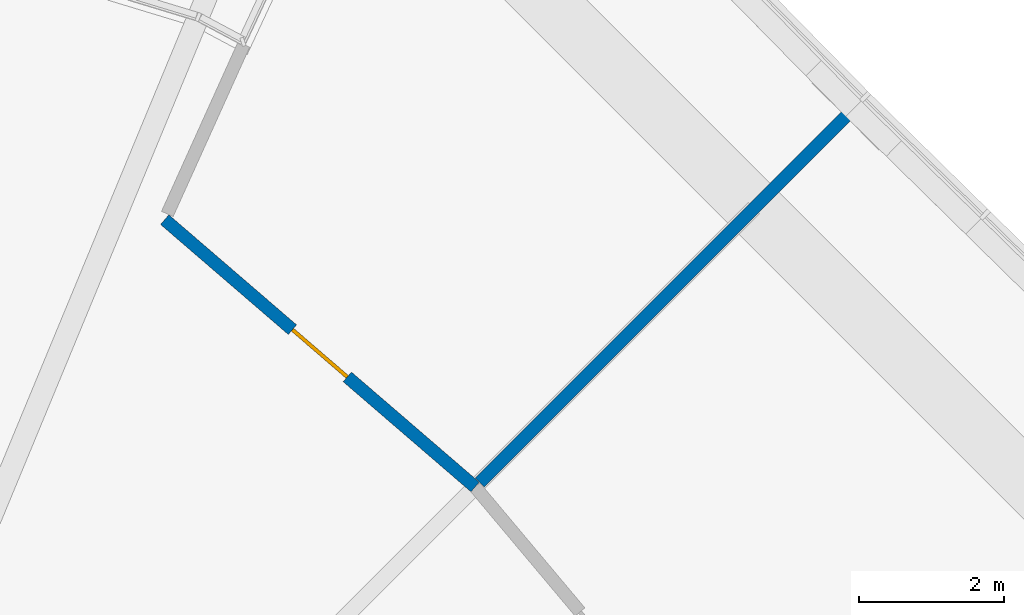
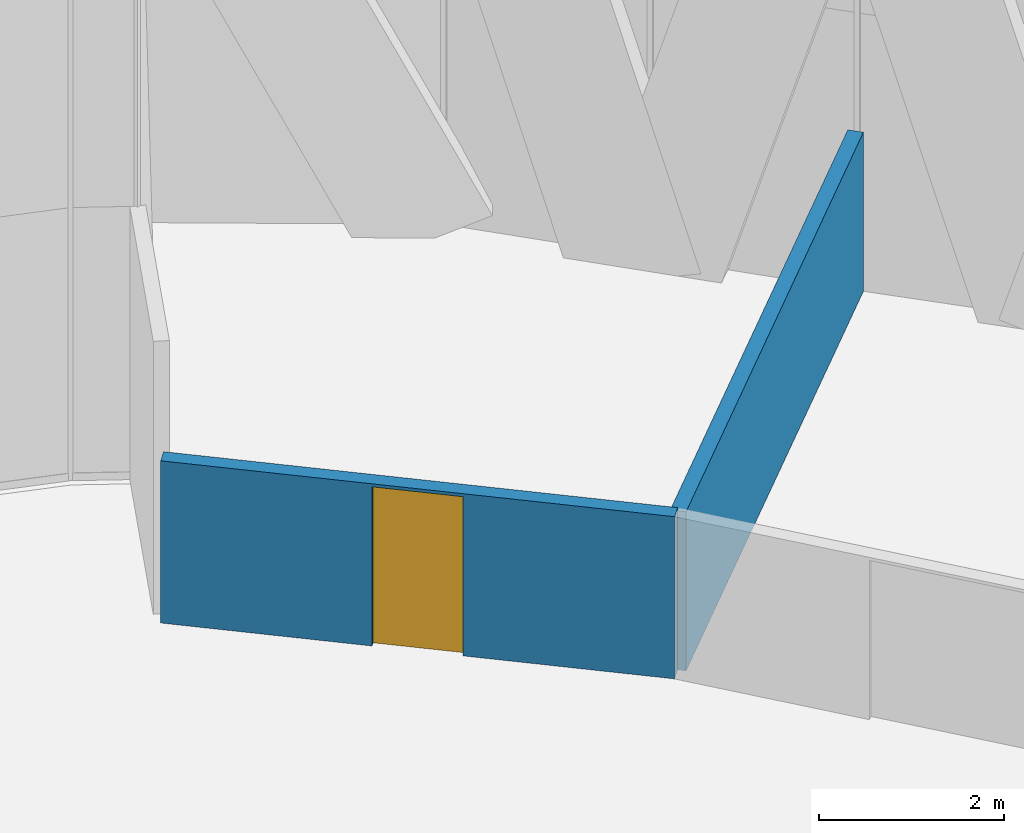
# One storey, part 26 of 31: 2 walls, 1 door, 1 opening.
"""IFC4 building model written with IfcOpenShell, lengths in metres."""

from ifc_helpers import new_model, si_unit, direction, frame, frame_2d, origin, place, context, subcontext, project, spatial, rectangle, extrude, material, layer, layer_set, type_object, element, fill, save


model = new_model("IFC4")

# Units and contexts
model_context = context("Model", 3, precision=1e-05, world=origin(), true_north=direction((0.0, 1.0)))
body_context = subcontext(model_context, "Body", "Model", "MODEL_VIEW")
ifc_project = project(units=[si_unit("LENGTHUNIT", "METRE"), si_unit("AREAUNIT", "SQUARE_METRE"), si_unit("VOLUMEUNIT", "CUBIC_METRE"), si_unit("PLANEANGLEUNIT", "RADIAN"), si_unit("MASSUNIT", "GRAM", prefix="KILO")], contexts=[model_context])

# Site, building, storey
site_placement = place(None, origin())
site = spatial("IfcSite", under=ifc_project, at=site_placement, CompositionType="ELEMENT")
building_placement = place(site_placement, origin())
building = spatial("IfcBuilding", under=site, at=building_placement, Name="Ogive Gate Towers", CompositionType="ELEMENT")
storey_placement = place(building_placement, frame((0.0, 0.0, 63.60009765625)))
storey = spatial("IfcBuildingStorey", under=building, at=storey_placement, Name="L14", CompositionType="ELEMENT", Elevation=63.60009765625)

# Wall
ifc_material_1 = material(Name="Gypsum board acoustic partition")
ifc_layer = layer(ifc_material_1, 0.175048828125)
ifc_layer_set = layer_set([ifc_layer], Name="Acoustic partition 175")
wall_type = type_object("IfcWallType", Name="Acoustic partition 175", PredefinedType="PARTITIONING", material=ifc_layer_set)
wall_1_placement = place(storey_placement, frame((52.411376953125, 16.411376953125, 0.0), z_axis=(0.0, 0.0, 1.0), x_axis=(-0.707106781187, -0.707106781187, 0.0)))
element("IfcWall", 1, at=wall_1_placement, inside=storey, type_object=wall_type, Name="Partition T2-L14-004", PredefinedType="PARTITIONING", context=body_context, shape_type="SweptSolid", body=[
    extrude(rectangle(XDim=7.40673828125, YDim=0.175048828125, at=frame_2d((3.703369140625, 0.0))), origin(), (0.0, 0.0, 1.0), 2.099853515625),
])

# Wall, opening, door
wall_2_placement = place(storey_placement, frame((42.8271484375, 14.80224609375, 0.0), z_axis=(0.0, 0.0, 1.0), x_axis=(0.75773381505, -0.652563763574, 0.0)))
wall_2 = element("IfcWall", 2, at=wall_2_placement, inside=storey, type_object=wall_type, Name="Partition T2-L14-022", PredefinedType="PARTITIONING", context=body_context, shape_type="SweptSolid", body=[
    extrude(rectangle(XDim=5.65478515625, YDim=0.175048828125, at=frame_2d((2.827392578125, 0.0))), origin(), (0.0, 0.0, 1.0), 2.139892578125),
])
opening_placement = place(wall_2_placement, frame((2.326904296875, 0.0, 0.0)))
opening = element("IfcOpeningElement", 3, at=opening_placement, cuts=wall_2, Name="Opening T2-L14-D01", PredefinedType="OPENING", context=body_context, shape_type="SweptSolid", body=[
    extrude(rectangle(XDim=1.0, YDim=2.10009765625, at=frame_2d((0.5, 1.050048828125))), frame((0.0, 0.09765625, 0.0), z_axis=(0.0, -1.0, 0.0), x_axis=(1.0, 0.0, 0.0)), (0.0, 0.0, 1.0), 0.195068359375),
])
ifc_material_2 = material(Name="Timber door", Category="wood")
door_type = type_object("IfcDoorType", Name="Door 1000", OperationType="NOTDEFINED", PredefinedType="DOOR", material=ifc_material_2)
door_placement = place(opening_placement, origin())
door = element("IfcDoor", 4, at=door_placement, inside=storey, type_object=door_type, Name="Door T2-L14-D01", OperationType="SINGLE_SWING_LEFT", OverallHeight=2.10009765625, OverallWidth=1.0, PredefinedType="DOOR", context=body_context, shape_type="SweptSolid", body=[
    extrude(rectangle(XDim=1.0, YDim=2.10009765625, at=frame_2d((0.5, 1.050048828125))), frame((0.0, 0.02490234375, 0.0), z_axis=(0.0, -1.0, 0.0), x_axis=(1.0, 0.0, 0.0)), (0.0, 0.0, 1.0), 0.050048828125),
])
fill(opening, door)

save(model, "model.ifc")
